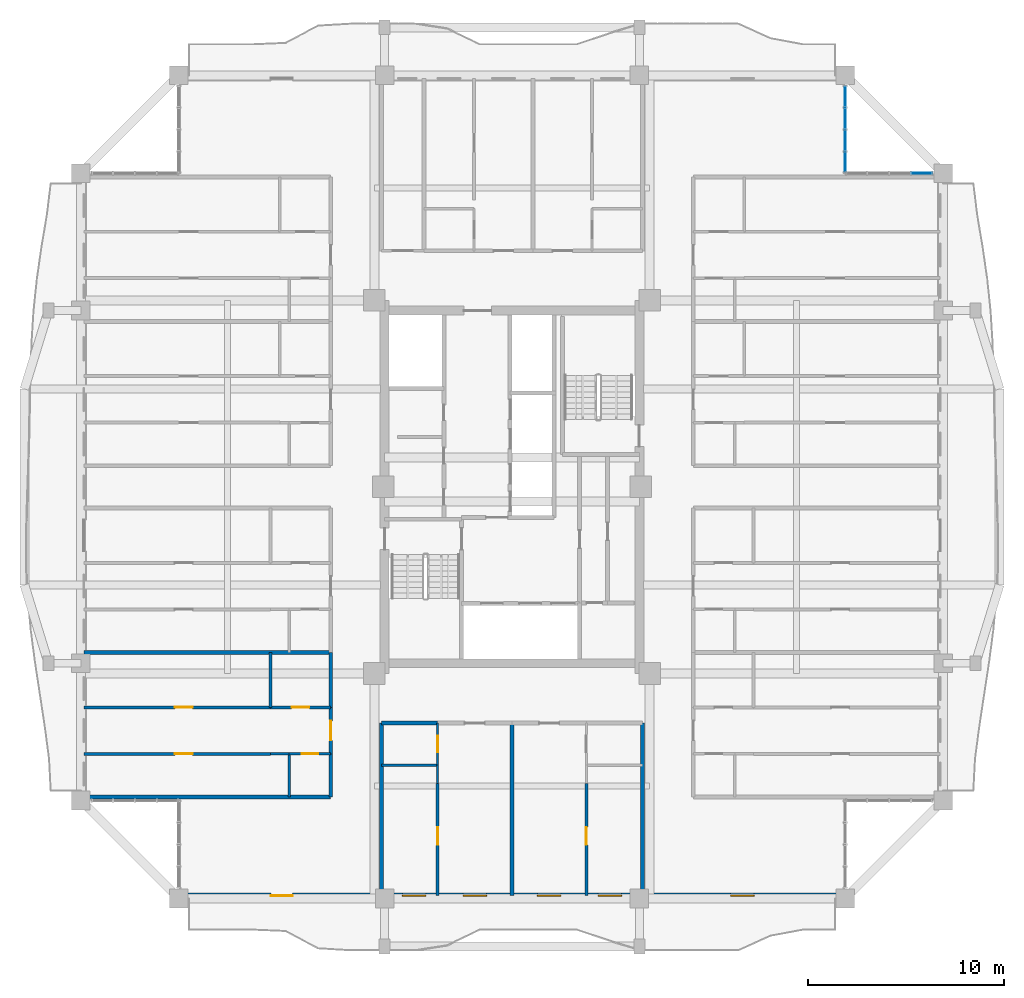
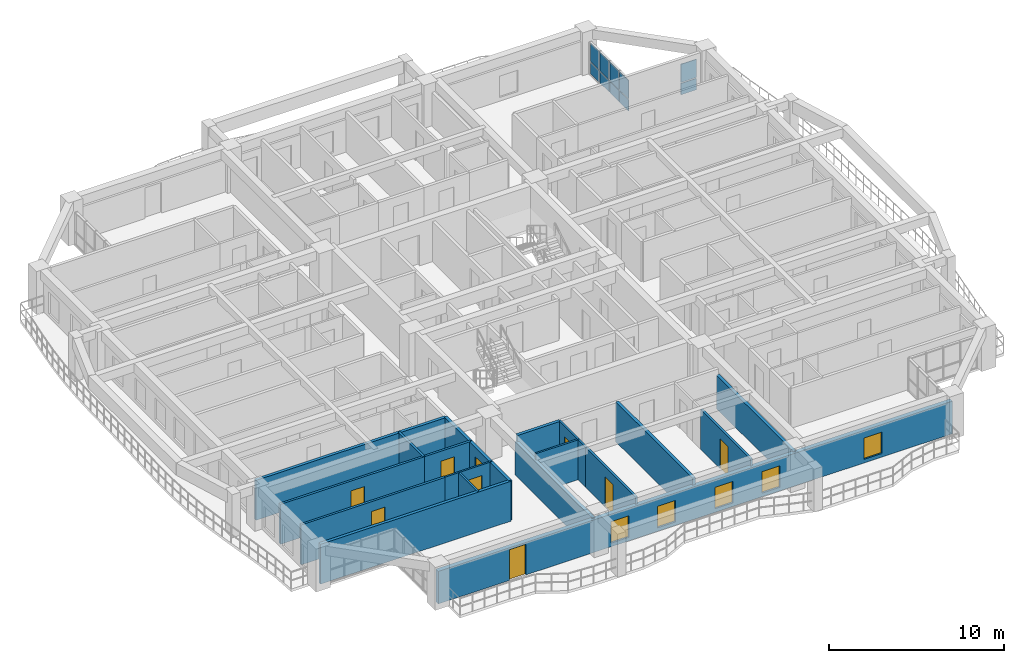
# One storey, part 11 of 23: 22 walls, 10 plates, 9 doors, 5 windows, 14 openings, 2 elements without a shape of their own.
"""IFC4 building model written with IfcOpenShell, lengths in metres."""

from ifc_helpers import new_model, si_unit, direction, frame, frame_2d, origin, origin_2d, place, context, subcontext, project, spatial, rectangle, extrude, source, transform, mapped, material, layer, layer_set, type_object, element, fill, aggregate, save


model = new_model("IFC4")

# Units and contexts
model_context = context("Model", 3, precision=1e-05, world=origin(), true_north=direction((0.0, 1.0)))
body_context = subcontext(model_context, "Body", "Model", "MODEL_VIEW")
ifc_project = project(units=[si_unit("LENGTHUNIT", "METRE"), si_unit("AREAUNIT", "SQUARE_METRE"), si_unit("VOLUMEUNIT", "CUBIC_METRE"), si_unit("PLANEANGLEUNIT", "RADIAN"), si_unit("MASSUNIT", "GRAM", prefix="KILO")], contexts=[model_context])

# Site, building, storey
site_placement = place(None, origin())
site = spatial("IfcSite", under=ifc_project, at=site_placement, CompositionType="ELEMENT")
building_placement = place(site_placement, origin())
building = spatial("IfcBuilding", under=site, at=building_placement, Name="Saelheon Loggia Tower", CompositionType="ELEMENT")
storey_placement = place(building_placement, frame((0.0, 0.0, 156.10009765625)))
storey = spatial("IfcBuildingStorey", under=building, at=storey_placement, Name="L49", CompositionType="ELEMENT", Elevation=156.10009765625)

# Curtain wall, plates
ifc_material_1 = material(Name="High-Wind Aluminium and Triple Laminated Glass", Category="aluminium")
ifc_layer_1 = layer(ifc_material_1, 0.179931640625)
ifc_layer_set_1 = layer_set([ifc_layer_1], Name="High-Wind Aluminium and Triple Laminated Glass")
curtain_wall_type = type_object("IfcCurtainWallType", Name="CW_TowerLoggiaHigh", PredefinedType="NOTDEFINED", material=ifc_layer_set_1)
curtain_wall_1_placement = place(storey_placement, origin())
curtain_wall_1 = element("IfcCurtainWall", 1, at=curtain_wall_1_placement, inside=storey, type_object=curtain_wall_type, Name="L49 Corner Notch Glazing NE1", PredefinedType="NOTDEFINED")
ifc_material_2 = material(Name="Triple Low-E Laminated Glazing", Category="glass")
ifc_layer_2 = layer(ifc_material_2, 0.0439453125)
ifc_layer_set_2 = layer_set([ifc_layer_2], Name="Triple Low-E Laminated Glazing")
plate_type = type_object("IfcPlateType", Name="CW_TowerLoggiaHigh_Panel", PredefinedType="CURTAIN_PANEL", material=ifc_layer_set_2)
shared_shape_1 = source(origin(), body_context, "Body", "SweptSolid", [
    extrude(rectangle(XDim=1.016357421875, YDim=0.0439453125, at=origin_2d()), origin(), (0.0, 0.0, 1.0), 0.794921875),
])
plate_1_placement = place(storey_placement, frame((55.0, 43.578125, 0.06982421875), z_axis=(0.0, 0.0, 1.0), x_axis=(0.0, 1.0, 0.0)))
plate_1 = element("IfcPlate", 2, at=plate_1_placement, type_object=plate_type, Name="CW4 panel 1.1", PredefinedType="CURTAIN_PANEL", context=body_context, shape_type="MappedRepresentation", body=[
    mapped(shared_shape_1, transform((0.0, 0.0, 0.0), scale=1.0)),
])
plate_2_placement = place(storey_placement, frame((55.0, 46.906982421875, 0.06982421875), z_axis=(0.0, 0.0, 1.0), x_axis=(0.0, 1.0, 0.0)))
plate_2 = element("IfcPlate", 3, at=plate_2_placement, type_object=plate_type, Name="CW4 panel 4.1", PredefinedType="CURTAIN_PANEL", context=body_context, shape_type="MappedRepresentation", body=[
    mapped(shared_shape_1, transform((0.0, 0.0, 0.0), scale=1.0)),
])

# Curtain wall, plate
curtain_wall_2_placement = place(storey_placement, origin())
curtain_wall_2 = element("IfcCurtainWall", 4, at=curtain_wall_2_placement, inside=storey, type_object=curtain_wall_type, Name="L49 Corner Notch Glazing NE2", PredefinedType="NOTDEFINED")
plate_3_placement = place(storey_placement, frame((58.906982421875, 43.0, 0.06982421875), z_axis=(0.0, 0.0, 1.0), x_axis=(1.0, 0.0, 0.0)))
plate_3 = element("IfcPlate", 5, at=plate_3_placement, type_object=plate_type, Name="CW4 panel 4.1", PredefinedType="CURTAIN_PANEL", context=body_context, shape_type="MappedRepresentation", body=[
    mapped(shared_shape_1, transform((0.0, 0.0, 0.0), scale=1.0)),
])

# Plate
shared_shape_2 = source(origin(), body_context, "Body", "SweptSolid", [
    extrude(rectangle(XDim=1.016357421875, YDim=0.0439453125, at=origin_2d()), origin(), (0.0, 0.0, 1.0), 1.27490234375),
])
plate_4_placement = place(storey_placement, frame((55.0, 43.578125, 0.93505859375), z_axis=(0.0, 0.0, 1.0), x_axis=(0.0, 1.0, 0.0)))
plate_4 = element("IfcPlate", 6, at=plate_4_placement, type_object=plate_type, Name="CW4 panel 1.2", PredefinedType="CURTAIN_PANEL", context=body_context, shape_type="MappedRepresentation", body=[
    mapped(shared_shape_2, transform((0.0, 0.0, 0.0), scale=1.0)),
])

plate_5_placement = place(storey_placement, frame((55.0, 46.906982421875, 0.93505859375), z_axis=(0.0, 0.0, 1.0), x_axis=(0.0, 1.0, 0.0)))
plate_5 = element("IfcPlate", 7, at=plate_5_placement, type_object=plate_type, Name="CW4 panel 4.2", PredefinedType="CURTAIN_PANEL", context=body_context, shape_type="MappedRepresentation", body=[
    mapped(shared_shape_2, transform((0.0, 0.0, 0.0), scale=1.0)),
])

plate_6_placement = place(storey_placement, frame((58.906982421875, 43.0, 0.93505859375), z_axis=(0.0, 0.0, 1.0), x_axis=(1.0, 0.0, 0.0)))
plate_6 = element("IfcPlate", 8, at=plate_6_placement, type_object=plate_type, Name="CW4 panel 4.2", PredefinedType="CURTAIN_PANEL", context=body_context, shape_type="MappedRepresentation", body=[
    mapped(shared_shape_2, transform((0.0, 0.0, 0.0), scale=1.0)),
])

aggregate(curtain_wall_2, [plate_3, plate_6])

shared_shape_3 = source(origin(), body_context, "Body", "SweptSolid", [
    extrude(rectangle(XDim=1.05126953125, YDim=0.0439453125, at=origin_2d()), origin(), (0.0, 0.0, 1.0), 0.794921875),
])
plate_7_placement = place(storey_placement, frame((55.0, 44.681884765625, 0.06982421875), z_axis=(0.0, 0.0, 1.0), x_axis=(0.0, 1.0, 0.0)))
plate_7 = element("IfcPlate", 9, at=plate_7_placement, type_object=plate_type, Name="CW4 panel 2.1", PredefinedType="CURTAIN_PANEL", context=body_context, shape_type="MappedRepresentation", body=[
    mapped(shared_shape_3, transform((0.0, 0.0, 0.0), scale=1.0)),
])

plate_8_placement = place(storey_placement, frame((55.0, 45.80322265625, 0.06982421875), z_axis=(0.0, 0.0, 1.0), x_axis=(0.0, 1.0, 0.0)))
plate_8 = element("IfcPlate", 10, at=plate_8_placement, type_object=plate_type, Name="CW4 panel 3.1", PredefinedType="CURTAIN_PANEL", context=body_context, shape_type="MappedRepresentation", body=[
    mapped(shared_shape_3, transform((0.0, 0.0, 0.0), scale=1.0)),
])

shared_shape_4 = source(origin(), body_context, "Body", "SweptSolid", [
    extrude(rectangle(XDim=1.05126953125, YDim=0.0439453125, at=origin_2d()), origin(), (0.0, 0.0, 1.0), 1.27490234375),
])
plate_9_placement = place(storey_placement, frame((55.0, 44.681884765625, 0.93505859375), z_axis=(0.0, 0.0, 1.0), x_axis=(0.0, 1.0, 0.0)))
plate_9 = element("IfcPlate", 11, at=plate_9_placement, type_object=plate_type, Name="CW4 panel 2.2", PredefinedType="CURTAIN_PANEL", context=body_context, shape_type="MappedRepresentation", body=[
    mapped(shared_shape_4, transform((0.0, 0.0, 0.0), scale=1.0)),
])

plate_10_placement = place(storey_placement, frame((55.0, 45.80322265625, 0.93505859375), z_axis=(0.0, 0.0, 1.0), x_axis=(0.0, 1.0, 0.0)))
plate_10 = element("IfcPlate", 12, at=plate_10_placement, type_object=plate_type, Name="CW4 panel 3.2", PredefinedType="CURTAIN_PANEL", context=body_context, shape_type="MappedRepresentation", body=[
    mapped(shared_shape_4, transform((0.0, 0.0, 0.0), scale=1.0)),
])

aggregate(curtain_wall_1, [plate_1, plate_4, plate_7, plate_9, plate_8, plate_10, plate_2, plate_5])

# Wall, openings, windows, door
ifc_material_3 = material(Name="Architectural Precast Concrete C40/50", Category="concrete")
ifc_layer_3 = layer(ifc_material_3, 0.280029296875)
ifc_layer_set_3 = layer_set([ifc_layer_3], Name="Architectural Precast Concrete C40/50")
wall_type_1 = type_object("IfcWallType", Name="Wall_Ext_Loggia_280", PredefinedType="SOLIDWALL", material=ifc_layer_set_3)
wall_1_placement = place(storey_placement, frame((21.0, 6.139892578125, 0.0), z_axis=(0.0, 0.0, 1.0), x_axis=(1.0, 0.0, 0.0)))
wall_1 = element("IfcWall", 13, at=wall_1_placement, inside=storey, type_object=wall_type_1, Name="L49 South Loggia Inner Wall", PredefinedType="SOLIDWALL", context=body_context, shape_type="SweptSolid", body=[
    extrude(rectangle(XDim=34.0, YDim=0.280029296875, at=frame_2d((17.0, 0.0))), origin(), (0.0, 0.0, 1.0), 2.27978515625),
])
opening_1_placement = place(wall_1_placement, frame((5.800048828125, 0.0, 0.0), z_axis=(0.0, 0.0, 1.0), x_axis=(-1.0, 0.0, 0.0)))
opening_1 = element("IfcOpeningElement", 14, at=opening_1_placement, cuts=wall_1, Name="Opening TD1", PredefinedType="OPENING", context=body_context, shape_type="SweptSolid", body=[
    extrude(rectangle(XDim=1.10009765625, YDim=2.14990234375, at=frame_2d((0.550048828125, 1.074951171875))), frame((0.0, 0.152099609375, 0.0), z_axis=(0.0, -1.0, 0.0), x_axis=(1.0, 0.0, 0.0)), (0.0, 0.0, 1.0), 0.303955078125),
])
opening_2_placement = place(wall_1_placement, frame((11.407470703125, 0.0, 0.25)))
opening_2 = element("IfcOpeningElement", 15, at=opening_2_placement, cuts=wall_1, Name="Opening WN-03", PredefinedType="OPENING", context=body_context, shape_type="SweptSolid", body=[
    extrude(rectangle(XDim=1.199951171875, YDim=1.5, at=frame_2d((0.60009765625, 0.75))), frame((0.0, 0.152099609375, 0.0), z_axis=(0.0, -1.0, 0.0), x_axis=(1.0, 0.0, 0.0)), (0.0, 0.0, 1.0), 0.303955078125),
])
opening_3_placement = place(wall_1_placement, frame((14.5, 0.0, 0.25)))
opening_3 = element("IfcOpeningElement", 16, at=opening_3_placement, cuts=wall_1, Name="Opening WN-03", PredefinedType="OPENING", context=body_context, shape_type="SweptSolid", body=[
    extrude(rectangle(XDim=1.199951171875, YDim=1.5, at=frame_2d((0.60009765625, 0.75))), frame((0.0, 0.152099609375, 0.0), z_axis=(0.0, -1.0, 0.0), x_axis=(1.0, 0.0, 0.0)), (0.0, 0.0, 1.0), 0.303955078125),
])
opening_4_placement = place(wall_1_placement, frame((18.300048828125, 0.0, 0.25)))
opening_4 = element("IfcOpeningElement", 17, at=opening_4_placement, cuts=wall_1, Name="Opening WN-03", PredefinedType="OPENING", context=body_context, shape_type="SweptSolid", body=[
    extrude(rectangle(XDim=1.199951171875, YDim=1.5, at=frame_2d((0.60009765625, 0.75))), frame((0.0, 0.152099609375, 0.0), z_axis=(0.0, -1.0, 0.0), x_axis=(1.0, 0.0, 0.0)), (0.0, 0.0, 1.0), 0.303955078125),
])
opening_5_placement = place(wall_1_placement, frame((21.392578125, 0.0, 0.25)))
opening_5 = element("IfcOpeningElement", 18, at=opening_5_placement, cuts=wall_1, Name="Opening WN-03", PredefinedType="OPENING", context=body_context, shape_type="SweptSolid", body=[
    extrude(rectangle(XDim=1.199951171875, YDim=1.5, at=frame_2d((0.60009765625, 0.75))), frame((0.0, 0.152099609375, 0.0), z_axis=(0.0, -1.0, 0.0), x_axis=(1.0, 0.0, 0.0)), (0.0, 0.0, 1.0), 0.303955078125),
])
opening_6_placement = place(wall_1_placement, frame((28.14990234375, 0.0, 0.25)))
opening_6 = element("IfcOpeningElement", 19, at=opening_6_placement, cuts=wall_1, Name="Opening WN-03", PredefinedType="OPENING", context=body_context, shape_type="SweptSolid", body=[
    extrude(rectangle(XDim=1.199951171875, YDim=1.5, at=frame_2d((0.60009765625, 0.75))), frame((0.0, 0.152099609375, 0.0), z_axis=(0.0, -1.0, 0.0), x_axis=(1.0, 0.0, 0.0)), (0.0, 0.0, 1.0), 0.303955078125),
])
ifc_material_4 = material(Name="Thermal-Break Aluminium and Triple Low-E Glass", Category="aluminium")
window_type = type_object("IfcWindowType", Name="Win_Bedroom_1200x1500", PartitioningType="SINGLE_PANEL", PredefinedType="WINDOW", material=ifc_material_4)
shared_shape_5 = source(origin(), body_context, "Body", "SweptSolid", [
    extrude(rectangle(XDim=1.199951171875, YDim=1.5, at=frame_2d((0.60009765625, 0.75))), frame((0.0, 0.030029296875, 0.0), z_axis=(0.0, -1.0, 0.0), x_axis=(1.0, 0.0, 0.0)), (0.0, 0.0, 1.0), 0.06005859375),
])
window_1_placement = place(opening_2_placement, origin())
window_1 = element("IfcWindow", 20, at=window_1_placement, inside=storey, type_object=window_type, Name="L49 S Dwelling Window 2", OverallHeight=1.5, OverallWidth=1.199951171875, PartitioningType="SINGLE_PANEL", PredefinedType="WINDOW", context=body_context, shape_type="MappedRepresentation", body=[
    mapped(shared_shape_5, transform((0.0, 0.0, 0.0), scale=1.0)),
])
fill(opening_2, window_1)
window_2_placement = place(opening_3_placement, origin())
window_2 = element("IfcWindow", 21, at=window_2_placement, inside=storey, type_object=window_type, Name="L49 S Dwelling Window 3", OverallHeight=1.5, OverallWidth=1.199951171875, PartitioningType="SINGLE_PANEL", PredefinedType="WINDOW", context=body_context, shape_type="MappedRepresentation", body=[
    mapped(shared_shape_5, transform((0.0, 0.0, 0.0), scale=1.0)),
])
fill(opening_3, window_2)
window_3_placement = place(opening_4_placement, origin())
window_3 = element("IfcWindow", 22, at=window_3_placement, inside=storey, type_object=window_type, Name="L49 S Dwelling Window 4", OverallHeight=1.5, OverallWidth=1.199951171875, PartitioningType="SINGLE_PANEL", PredefinedType="WINDOW", context=body_context, shape_type="MappedRepresentation", body=[
    mapped(shared_shape_5, transform((0.0, 0.0, 0.0), scale=1.0)),
])
fill(opening_4, window_3)
window_4_placement = place(opening_5_placement, origin())
window_4 = element("IfcWindow", 23, at=window_4_placement, inside=storey, type_object=window_type, Name="L49 S Dwelling Window 5", OverallHeight=1.5, OverallWidth=1.199951171875, PartitioningType="SINGLE_PANEL", PredefinedType="WINDOW", context=body_context, shape_type="MappedRepresentation", body=[
    mapped(shared_shape_5, transform((0.0, 0.0, 0.0), scale=1.0)),
])
fill(opening_5, window_4)
window_5_placement = place(opening_6_placement, origin())
window_5 = element("IfcWindow", 24, at=window_5_placement, inside=storey, type_object=window_type, Name="L49 S Dwelling Window 6", OverallHeight=1.5, OverallWidth=1.199951171875, PartitioningType="SINGLE_PANEL", PredefinedType="WINDOW", context=body_context, shape_type="MappedRepresentation", body=[
    mapped(shared_shape_5, transform((0.0, 0.0, 0.0), scale=1.0)),
])
fill(opening_6, window_5)
ifc_material_5 = material(Name="Thermal-Break Aluminium Glazed Door", Category="aluminium")
door_type_1 = type_object("IfcDoorType", Name="Door_Terrace_TD1", OperationType="NOTDEFINED", PredefinedType="DOOR", material=ifc_material_5)
shared_shape_6 = source(origin(), body_context, "Body", "SweptSolid", [
    extrude(rectangle(XDim=1.10009765625, YDim=2.14990234375, at=frame_2d((0.550048828125, 1.074951171875))), frame((0.0, 0.02490234375, 0.0), z_axis=(0.0, -1.0, 0.0), x_axis=(1.0, 0.0, 0.0)), (0.0, 0.0, 1.0), 0.050048828125),
])
door_1_placement = place(opening_1_placement, origin())
door_1 = element("IfcDoor", 25, at=door_1_placement, inside=storey, type_object=door_type_1, Name="L49 S Loggia Access Door", OperationType="SINGLE_SWING_LEFT", OverallHeight=2.14990234375, OverallWidth=1.10009765625, PredefinedType="DOOR", context=body_context, shape_type="MappedRepresentation", body=[
    mapped(shared_shape_6, transform((0.0, 0.0, 0.0), scale=1.0)),
])
fill(opening_1, door_1)

# Wall, opening, door
ifc_material_6 = material(Name="Lightweight Autoclaved Aerated Concrete Block and Acoustic Gypsum", Category="concrete")
ifc_layer_4 = layer(ifc_material_6, 0.14990234375)
ifc_layer_set_4 = layer_set([ifc_layer_4], Name="Lightweight Autoclaved Aerated Concrete Block and Acoustic Gypsum")
wall_type_2 = type_object("IfcWallType", Name="Wall_Part_150", PredefinedType="PARTITIONING", material=ifc_layer_set_4)
wall_2_placement = place(storey_placement, frame((34.199951171875, 11.8701171875, 0.0), z_axis=(0.0, 0.0, 1.0), x_axis=(0.0, -1.0, 0.0)))
wall_2 = element("IfcWall", 26, at=wall_2_placement, inside=storey, type_object=wall_type_2, Name="L49 S Partition U08", PredefinedType="PARTITIONING", context=body_context, shape_type="SweptSolid", body=[
    extrude(rectangle(XDim=5.72021484375, YDim=0.14990234375, at=frame_2d((2.860107421875, 0.0))), origin(), (0.0, 0.0, 1.0), 2.789794921875),
])
opening_7_placement = place(wall_2_placement, frame((2.229248046875, 0.0, 0.0)))
opening_7 = element("IfcOpeningElement", 27, at=opening_7_placement, cuts=wall_2, Name="Opening D-IN2", PredefinedType="OPENING", context=body_context, shape_type="SweptSolid", body=[
    extrude(rectangle(XDim=0.89990234375, YDim=2.10009765625, at=frame_2d((0.449951171875, 1.050048828125))), frame((0.0, 0.0869140625, 0.0), z_axis=(0.0, -1.0, 0.0), x_axis=(1.0, 0.0, 0.0)), (0.0, 0.0, 1.0), 0.173828125),
])
ifc_material_7 = material(Name="Engineered Oak Flush Door", Category="timber")
door_type_2 = type_object("IfcDoorType", Name="Door_Int_900", OperationType="NOTDEFINED", PredefinedType="DOOR", material=ifc_material_7)
shared_shape_7 = source(origin(), body_context, "Body", "SweptSolid", [
    extrude(rectangle(XDim=0.89990234375, YDim=2.10009765625, at=frame_2d((0.449951171875, 1.050048828125))), frame((0.0, 0.02490234375, 0.0), z_axis=(0.0, -1.0, 0.0), x_axis=(1.0, 0.0, 0.0)), (0.0, 0.0, 1.0), 0.050048828125),
])
door_2_placement = place(opening_7_placement, origin())
door_2 = element("IfcDoor", 28, at=door_2_placement, inside=storey, type_object=door_type_2, Name="Unit U01 Kitchen Door", OperationType="SINGLE_SWING_RIGHT", OverallHeight=2.10009765625, OverallWidth=0.89990234375, PredefinedType="DOOR", context=body_context, shape_type="MappedRepresentation", body=[
    mapped(shared_shape_7, transform((0.0, 0.0, 0.0), scale=1.0)),
])
fill(opening_7, door_2)

wall_3_placement = place(storey_placement, frame((41.800048828125, 11.8701171875, 0.0), z_axis=(0.0, 0.0, 1.0), x_axis=(0.0, -1.0, 0.0)))
wall_3 = element("IfcWall", 29, at=wall_3_placement, inside=storey, type_object=wall_type_2, Name="L49 S Partition U15", PredefinedType="PARTITIONING", context=body_context, shape_type="SweptSolid", body=[
    extrude(rectangle(XDim=5.72021484375, YDim=0.14990234375, at=frame_2d((2.860107421875, 0.0))), origin(), (0.0, 0.0, 1.0), 2.789794921875),
])
opening_8_placement = place(wall_3_placement, frame((2.229248046875, 0.0, 0.0)))
opening_8 = element("IfcOpeningElement", 30, at=opening_8_placement, cuts=wall_3, Name="Opening D-IN2", PredefinedType="OPENING", context=body_context, shape_type="SweptSolid", body=[
    extrude(rectangle(XDim=0.89990234375, YDim=2.10009765625, at=frame_2d((0.449951171875, 1.050048828125))), frame((0.0, 0.0869140625, 0.0), z_axis=(0.0, -1.0, 0.0), x_axis=(1.0, 0.0, 0.0)), (0.0, 0.0, 1.0), 0.173828125),
])
door_3_placement = place(opening_8_placement, origin())
door_3 = element("IfcDoor", 31, at=door_3_placement, inside=storey, type_object=door_type_2, Name="Unit U02 Kitchen Door", OperationType="SINGLE_SWING_LEFT", OverallHeight=2.10009765625, OverallWidth=0.89990234375, PredefinedType="DOOR", context=body_context, shape_type="MappedRepresentation", body=[
    mapped(shared_shape_7, transform((0.0, 0.0, 0.0), scale=1.0)),
])
fill(opening_8, door_3)

# Wall
wall_4_placement = place(storey_placement, frame((25.669921875, 15.74951171875, 0.0), z_axis=(0.0, 0.0, 1.0), x_axis=(0.0, 1.0, 0.0)))
element("IfcWall", 32, at=wall_4_placement, inside=storey, type_object=wall_type_2, Name="L49 WS Partition V07", PredefinedType="PARTITIONING", context=body_context, shape_type="SweptSolid", body=[
    extrude(rectangle(XDim=2.800537109375, YDim=0.14990234375, at=frame_2d((1.400390625, 0.0))), origin(), (0.0, 0.0, 1.0), 2.789794921875),
])

# Wall, opening, door
wall_5_placement = place(storey_placement, frame((25.669921875, 13.3798828125, 0.0), z_axis=(0.0, 0.0, 1.0), x_axis=(-1.0, 0.0, 0.0)))
wall_5 = element("IfcWall", 33, at=wall_5_placement, inside=storey, type_object=wall_type_2, Name="L49 WS Partition U10", PredefinedType="PARTITIONING", context=body_context, shape_type="SweptSolid", body=[
    extrude(rectangle(XDim=9.52001953125, YDim=0.14990234375, at=frame_2d((4.760009765625, 0.0))), origin(), (0.0, 0.0, 1.0), 2.789794921875),
])
opening_9_placement = place(wall_5_placement, frame((3.970703125, 0.0, 0.0)))
opening_9 = element("IfcOpeningElement", 34, at=opening_9_placement, cuts=wall_5, Name="Opening D-IN2", PredefinedType="OPENING", context=body_context, shape_type="SweptSolid", body=[
    extrude(rectangle(XDim=0.89990234375, YDim=2.10009765625, at=frame_2d((0.449951171875, 1.050048828125))), frame((0.0, 0.0869140625, 0.0), z_axis=(0.0, -1.0, 0.0), x_axis=(1.0, 0.0, 0.0)), (0.0, 0.0, 1.0), 0.173828125),
])
door_4_placement = place(opening_9_placement, origin())
door_4 = element("IfcDoor", 35, at=door_4_placement, inside=storey, type_object=door_type_2, Name="Unit U05 Kitchen Door", OperationType="SINGLE_SWING_LEFT", OverallHeight=2.10009765625, OverallWidth=0.89990234375, PredefinedType="DOOR", context=body_context, shape_type="MappedRepresentation", body=[
    mapped(shared_shape_7, transform((0.0, 0.0, 0.0), scale=1.0)),
])
fill(opening_9, door_4)

wall_6_placement = place(storey_placement, frame((28.75, 15.74951171875, 0.0), z_axis=(0.0, 0.0, 1.0), x_axis=(-1.0, 0.0, 0.0)))
wall_6 = element("IfcWall", 36, at=wall_6_placement, inside=storey, type_object=wall_type_2, Name="L49 WS Partition U11", PredefinedType="PARTITIONING", context=body_context, shape_type="SweptSolid", body=[
    extrude(rectangle(XDim=3.080078125, YDim=0.14990234375, at=frame_2d((1.5400390625, 0.0))), origin(), (0.0, 0.0, 1.0), 2.789794921875),
])
opening_10_placement = place(wall_6_placement, frame((1.090087890625, 0.0, 0.0)))
opening_10 = element("IfcOpeningElement", 37, at=opening_10_placement, cuts=wall_6, Name="Opening D-IN2", PredefinedType="OPENING", context=body_context, shape_type="SweptSolid", body=[
    extrude(rectangle(XDim=0.89990234375, YDim=2.10009765625, at=frame_2d((0.449951171875, 1.050048828125))), frame((0.0, 0.0869140625, 0.0), z_axis=(0.0, -1.0, 0.0), x_axis=(1.0, 0.0, 0.0)), (0.0, 0.0, 1.0), 0.173828125),
])
door_5_placement = place(opening_10_placement, origin())
door_5 = element("IfcDoor", 38, at=door_5_placement, inside=storey, type_object=door_type_2, Name="Unit U05 Dressing Closet Door", OperationType="SINGLE_SWING_RIGHT", OverallHeight=2.10009765625, OverallWidth=0.89990234375, PredefinedType="DOOR", context=body_context, shape_type="MappedRepresentation", body=[
    mapped(shared_shape_7, transform((0.0, 0.0, 0.0), scale=1.0)),
])
fill(opening_10, door_5)

wall_7_placement = place(storey_placement, frame((25.669921875, 15.74951171875, 0.0), z_axis=(0.0, 0.0, 1.0), x_axis=(-1.0, 0.0, 0.0)))
wall_7 = element("IfcWall", 39, at=wall_7_placement, inside=storey, type_object=wall_type_2, Name="L49 WS Partition U12", PredefinedType="PARTITIONING", context=body_context, shape_type="SweptSolid", body=[
    extrude(rectangle(XDim=9.52001953125, YDim=0.14990234375, at=frame_2d((4.760009765625, 0.0))), origin(), (0.0, 0.0, 1.0), 2.789794921875),
])
opening_11_placement = place(wall_7_placement, frame((3.970703125, 0.0, 0.0)))
opening_11 = element("IfcOpeningElement", 40, at=opening_11_placement, cuts=wall_7, Name="Opening D-IN2", PredefinedType="OPENING", context=body_context, shape_type="SweptSolid", body=[
    extrude(rectangle(XDim=0.89990234375, YDim=2.10009765625, at=frame_2d((0.449951171875, 1.050048828125))), frame((0.0, 0.0869140625, 0.0), z_axis=(0.0, -1.0, 0.0), x_axis=(1.0, 0.0, 0.0)), (0.0, 0.0, 1.0), 0.173828125),
])
door_6_placement = place(opening_11_placement, origin())
door_6 = element("IfcDoor", 41, at=door_6_placement, inside=storey, type_object=door_type_2, Name="Unit U05 Bedroom 1 Door", OperationType="SINGLE_SWING_LEFT", OverallHeight=2.10009765625, OverallWidth=0.89990234375, PredefinedType="DOOR", context=body_context, shape_type="MappedRepresentation", body=[
    mapped(shared_shape_7, transform((0.0, 0.0, 0.0), scale=1.0)),
])
fill(opening_11, door_6)

# Walls
ifc_material_8 = material(Name="Double Acoustic Stud and Fireboard Partition", Category="gypsum")
ifc_layer_5 = layer(ifc_material_8, 0.199951171875)
ifc_layer_set_5 = layer_set([ifc_layer_5], Name="Double Acoustic Stud and Fireboard Partition")
wall_type_3 = type_object("IfcWallType", Name="Wall_Party_200", PredefinedType="PARTITIONING", material=ifc_layer_set_5)
for number, where, z_axis, x_axis, name in (
    (42, (31.35009765625, 14.949951171875, 0.0), (0.0, 0.0, 1.0), (0.0, -1.0, 0.0), "L49 S Partition U01"),
    (43, (44.64990234375, 14.949951171875, 0.0), (0.0, 0.0, 1.0), (0.0, -1.0, 0.0), "L49 S Partition U02"),
):
    element("IfcWall", number, at=place(storey_placement, frame(where, z_axis=z_axis, x_axis=x_axis)), inside=storey, type_object=wall_type_3, Name=name, PredefinedType="PARTITIONING", context=body_context, shape_type="SweptSolid", body=[
        extrude(rectangle(XDim=8.800048828125, YDim=0.199951171875, at=frame_2d((4.39990234375, 0.0))), origin(), (0.0, 0.0, 1.0), 2.33984375),
    ])
wall_8_placement = place(storey_placement, frame((31.35009765625, 14.949951171875, 0.0), z_axis=(0.0, 0.0, 1.0), x_axis=(1.0, 0.0, 0.0)))
element("IfcWall", 44, at=wall_8_placement, inside=storey, type_object=wall_type_3, Name="L49 S Partition V03", PredefinedType="PARTITIONING", context=body_context, shape_type="SweptSolid", body=[
    extrude(rectangle(XDim=2.849853515625, YDim=0.199951171875, at=frame_2d((1.4248046875, 0.0))), origin(), (0.0, 0.0, 1.0), 2.789794921875),
])
wall_9_placement = place(storey_placement, frame((38.0, 14.949951171875, 0.0), z_axis=(0.0, 0.0, 1.0), x_axis=(0.0, -1.0, 0.0)))
element("IfcWall", 45, at=wall_9_placement, inside=storey, type_object=wall_type_3, Name="L49 S Partition U09", PredefinedType="PARTITIONING", context=body_context, shape_type="SweptSolid", body=[
    extrude(rectangle(XDim=8.800048828125, YDim=0.199951171875, at=frame_2d((4.39990234375, 0.0))), origin(), (0.0, 0.0, 1.0), 2.789794921875),
])
wall_10_placement = place(storey_placement, frame((28.75, 11.179931640625, 0.0), z_axis=(0.0, 0.0, 1.0), x_axis=(-1.0, 0.0, 0.0)))
element("IfcWall", 46, at=wall_10_placement, inside=storey, type_object=wall_type_3, Name="L49 WS Partition U01", PredefinedType="PARTITIONING", context=body_context, shape_type="SweptSolid", body=[
    extrude(rectangle(XDim=12.60009765625, YDim=0.199951171875, at=frame_2d((6.300048828125, 0.0))), origin(), (0.0, 0.0, 1.0), 2.789794921875),
])
wall_11_placement = place(storey_placement, frame((28.75, 11.179931640625, 0.0), z_axis=(0.0, 0.0, 1.0), x_axis=(0.0, 1.0, 0.0)))
element("IfcWall", 47, at=wall_11_placement, inside=storey, type_object=wall_type_3, Name="L49 WS Partition V03", PredefinedType="PARTITIONING", context=body_context, shape_type="SweptSolid", body=[
    extrude(rectangle(XDim=2.199951171875, YDim=0.199951171875, at=frame_2d((1.10009765625, 0.0))), origin(), (0.0, 0.0, 1.0), 2.789794921875),
])

# Wall, opening, door
wall_12_placement = place(storey_placement, frame((28.75, 13.3798828125, 0.0), z_axis=(0.0, 0.0, 1.0), x_axis=(0.0, 1.0, 0.0)))
wall_12 = element("IfcWall", 48, at=wall_12_placement, inside=storey, type_object=wall_type_3, Name="L49 WS Partition V04", PredefinedType="PARTITIONING", context=body_context, shape_type="SweptSolid", body=[
    extrude(rectangle(XDim=2.36962890625, YDim=0.199951171875, at=frame_2d((1.184814453125, 0.0))), origin(), (0.0, 0.0, 1.0), 2.789794921875),
])
opening_12_placement = place(wall_12_placement, frame((0.684814453125, 0.0, 0.0)))
opening_12 = element("IfcOpeningElement", 49, at=opening_12_placement, cuts=wall_12, Name="Opening D-FD1", PredefinedType="OPENING", context=body_context, shape_type="SweptSolid", body=[
    extrude(rectangle(XDim=1.0, YDim=2.14990234375, at=frame_2d((0.5, 1.074951171875))), frame((0.0, 0.112060546875, 0.0), z_axis=(0.0, -1.0, 0.0), x_axis=(1.0, 0.0, 0.0)), (0.0, 0.0, 1.0), 0.223876953125),
])
ifc_material_9 = material(Name="Fire-Rated Engineered Timber Entrance Door", Category="wood")
door_type_3 = type_object("IfcDoorType", Name="Door_Flat_FD30S", OperationType="NOTDEFINED", PredefinedType="DOOR", material=ifc_material_9)
shared_shape_8 = source(origin(), body_context, "Body", "SweptSolid", [
    extrude(rectangle(XDim=1.0, YDim=2.14990234375, at=frame_2d((0.5, 1.074951171875))), frame((0.0, 0.02490234375, 0.0), z_axis=(0.0, -1.0, 0.0), x_axis=(1.0, 0.0, 0.0)), (0.0, 0.0, 1.0), 0.050048828125),
])
door_7_placement = place(opening_12_placement, origin())
door_7 = element("IfcDoor", 50, at=door_7_placement, inside=storey, type_object=door_type_3, Name="Unit U05 Entrance Door", OperationType="SINGLE_SWING_LEFT", OverallHeight=2.14990234375, OverallWidth=1.0, PredefinedType="DOOR", context=body_context, shape_type="MappedRepresentation", body=[
    mapped(shared_shape_8, transform((0.0, 0.0, 0.0), scale=1.0)),
])
fill(opening_12, door_7)

# Walls
wall_13_placement = place(storey_placement, frame((28.75, 15.74951171875, 0.0), z_axis=(0.0, 0.0, 1.0), x_axis=(0.0, 1.0, 0.0)))
element("IfcWall", 51, at=wall_13_placement, inside=storey, type_object=wall_type_3, Name="L49 WS Partition V05", PredefinedType="PARTITIONING", context=body_context, shape_type="SweptSolid", body=[
    extrude(rectangle(XDim=2.800537109375, YDim=0.199951171875, at=frame_2d((1.400390625, 0.0))), origin(), (0.0, 0.0, 1.0), 2.789794921875),
])
wall_14_placement = place(storey_placement, frame((28.75, 18.550048828125, 0.0), z_axis=(0.0, 0.0, 1.0), x_axis=(-1.0, 0.0, 0.0)))
element("IfcWall", 52, at=wall_14_placement, inside=storey, type_object=wall_type_3, Name="L49 WS Partition U13", PredefinedType="PARTITIONING", context=body_context, shape_type="SweptSolid", body=[
    extrude(rectangle(XDim=12.60009765625, YDim=0.199951171875, at=frame_2d((6.300048828125, 0.0))), origin(), (0.0, 0.0, 1.0), 2.789794921875),
])

# Wall, opening, door
ifc_material_10 = material(Name="Moisture-Resistant Cement Board Partition", Category="gypsum")
ifc_layer_6 = layer(ifc_material_10, 0.1201171875)
ifc_layer_set_6 = layer_set([ifc_layer_6], Name="Moisture-Resistant Cement Board Partition")
wall_type_4 = type_object("IfcWallType", Name="Wall_WetPart_120", PredefinedType="PARTITIONING", material=ifc_layer_set_6)
wall_15_placement = place(storey_placement, frame((34.199951171875, 14.949951171875, 0.0), z_axis=(0.0, 0.0, 1.0), x_axis=(0.0, -1.0, 0.0)))
wall_15 = element("IfcWall", 53, at=wall_15_placement, inside=storey, type_object=wall_type_4, Name="L49 S Partition U05", PredefinedType="PARTITIONING", context=body_context, shape_type="SweptSolid", body=[
    extrude(rectangle(XDim=2.14990234375, YDim=0.1201171875, at=frame_2d((1.074951171875, 0.0))), origin(), (0.0, 0.0, 1.0), 2.789794921875),
])
opening_13_placement = place(wall_15_placement, frame((0.64990234375, 0.0, 0.0)))
opening_13 = element("IfcOpeningElement", 54, at=opening_13_placement, cuts=wall_15, Name="Opening D-BT1", PredefinedType="OPENING", context=body_context, shape_type="SweptSolid", body=[
    extrude(rectangle(XDim=0.85009765625, YDim=2.050048828125, at=frame_2d((0.425048828125, 1.02490234375))), frame((0.0, 0.072021484375, 0.0), z_axis=(0.0, -1.0, 0.0), x_axis=(1.0, 0.0, 0.0)), (0.0, 0.0, 1.0), 0.14404296875),
])
ifc_material_11 = material(Name="Moisture-Resistant Laminate Timber Door", Category="wood")
door_type_4 = type_object("IfcDoorType", Name="Door_Bath_850", OperationType="NOTDEFINED", PredefinedType="DOOR", material=ifc_material_11)
shared_shape_9 = source(origin(), body_context, "Body", "SweptSolid", [
    extrude(rectangle(XDim=0.85009765625, YDim=2.050048828125, at=frame_2d((0.425048828125, 1.02490234375))), frame((0.0, 0.02490234375, 0.0), z_axis=(0.0, -1.0, 0.0), x_axis=(1.0, 0.0, 0.0)), (0.0, 0.0, 1.0), 0.050048828125),
])
door_8_placement = place(opening_13_placement, origin())
door_8 = element("IfcDoor", 55, at=door_8_placement, inside=storey, type_object=door_type_4, Name="Unit U01 Bathroom Door", OperationType="SINGLE_SWING_LEFT", OverallHeight=2.050048828125, OverallWidth=0.85009765625, PredefinedType="DOOR", context=body_context, shape_type="MappedRepresentation", body=[
    mapped(shared_shape_9, transform((0.0, 0.0, 0.0), scale=1.0)),
])
fill(opening_13, door_8)

# Walls
wall_16_placement = place(storey_placement, frame((34.199951171875, 12.800048828125, 0.0), z_axis=(0.0, 0.0, 1.0), x_axis=(0.0, -1.0, 0.0)))
element("IfcWall", 56, at=wall_16_placement, inside=storey, type_object=wall_type_4, Name="L49 S Partition U06", PredefinedType="PARTITIONING", context=body_context, shape_type="SweptSolid", body=[
    extrude(rectangle(XDim=0.929931640625, YDim=0.1201171875, at=frame_2d((0.46484375, 0.0))), origin(), (0.0, 0.0, 1.0), 2.789794921875),
])
wall_17_placement = place(storey_placement, frame((31.35009765625, 12.800048828125, 0.0), z_axis=(0.0, 0.0, 1.0), x_axis=(1.0, 0.0, 0.0)))
element("IfcWall", 57, at=wall_17_placement, inside=storey, type_object=wall_type_4, Name="L49 S Partition V07", PredefinedType="PARTITIONING", context=body_context, shape_type="SweptSolid", body=[
    extrude(rectangle(XDim=2.849853515625, YDim=0.1201171875, at=frame_2d((1.4248046875, 0.0))), origin(), (0.0, 0.0, 1.0), 2.789794921875),
])
wall_18_placement = place(storey_placement, frame((26.6298828125, 11.179931640625, 0.0), z_axis=(0.0, 0.0, 1.0), x_axis=(0.0, 1.0, 0.0)))
element("IfcWall", 58, at=wall_18_placement, inside=storey, type_object=wall_type_4, Name="L49 WS Partition V06", PredefinedType="PARTITIONING", context=body_context, shape_type="SweptSolid", body=[
    extrude(rectangle(XDim=2.199951171875, YDim=0.1201171875, at=frame_2d((1.10009765625, 0.0))), origin(), (0.0, 0.0, 1.0), 2.789794921875),
])

# Wall, opening, door
wall_19_placement = place(storey_placement, frame((28.75, 13.3798828125, 0.0), z_axis=(0.0, 0.0, 1.0), x_axis=(-1.0, 0.0, 0.0)))
wall_19 = element("IfcWall", 59, at=wall_19_placement, inside=storey, type_object=wall_type_4, Name="L49 WS Partition U08", PredefinedType="PARTITIONING", context=body_context, shape_type="SweptSolid", body=[
    extrude(rectangle(XDim=2.1201171875, YDim=0.1201171875, at=frame_2d((1.06005859375, 0.0))), origin(), (0.0, 0.0, 1.0), 2.789794921875),
])
opening_14_placement = place(wall_19_placement, frame((0.635009765625, 0.0, 0.0)))
opening_14 = element("IfcOpeningElement", 60, at=opening_14_placement, cuts=wall_19, Name="Opening D-BT1", PredefinedType="OPENING", context=body_context, shape_type="SweptSolid", body=[
    extrude(rectangle(XDim=0.85009765625, YDim=2.050048828125, at=frame_2d((0.425048828125, 1.02490234375))), frame((0.0, 0.072021484375, 0.0), z_axis=(0.0, -1.0, 0.0), x_axis=(1.0, 0.0, 0.0)), (0.0, 0.0, 1.0), 0.14404296875),
])
door_9_placement = place(opening_14_placement, origin())
door_9 = element("IfcDoor", 61, at=door_9_placement, inside=storey, type_object=door_type_4, Name="Unit U05 Bathroom Door", OperationType="SINGLE_SWING_RIGHT", OverallHeight=2.050048828125, OverallWidth=0.85009765625, PredefinedType="DOOR", context=body_context, shape_type="MappedRepresentation", body=[
    mapped(shared_shape_9, transform((0.0, 0.0, 0.0), scale=1.0)),
])
fill(opening_14, door_9)

# Wall
wall_20_placement = place(storey_placement, frame((26.6298828125, 13.3798828125, 0.0), z_axis=(0.0, 0.0, 1.0), x_axis=(-1.0, 0.0, 0.0)))
element("IfcWall", 62, at=wall_20_placement, inside=storey, type_object=wall_type_4, Name="L49 WS Partition U09", PredefinedType="PARTITIONING", context=body_context, shape_type="SweptSolid", body=[
    extrude(rectangle(XDim=0.9599609375, YDim=0.1201171875, at=frame_2d((0.47998046875, 0.0))), origin(), (0.0, 0.0, 1.0), 2.789794921875),
])

save(model, "model.ifc")
